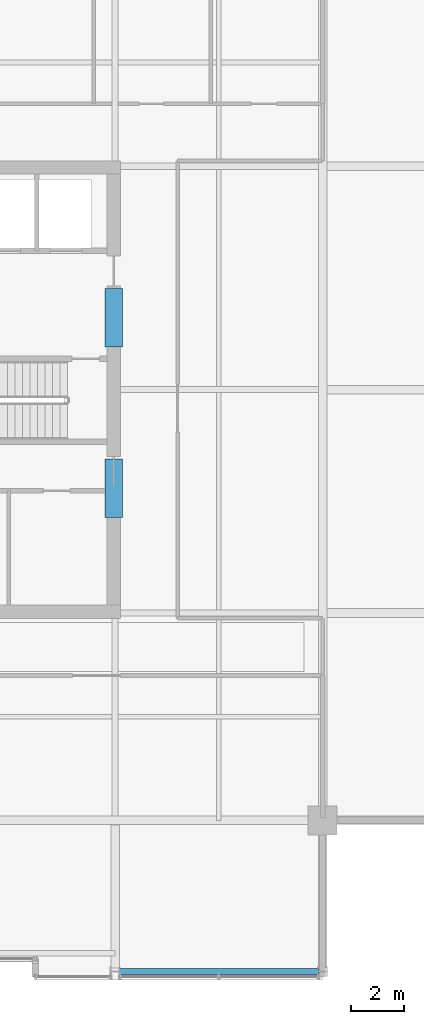
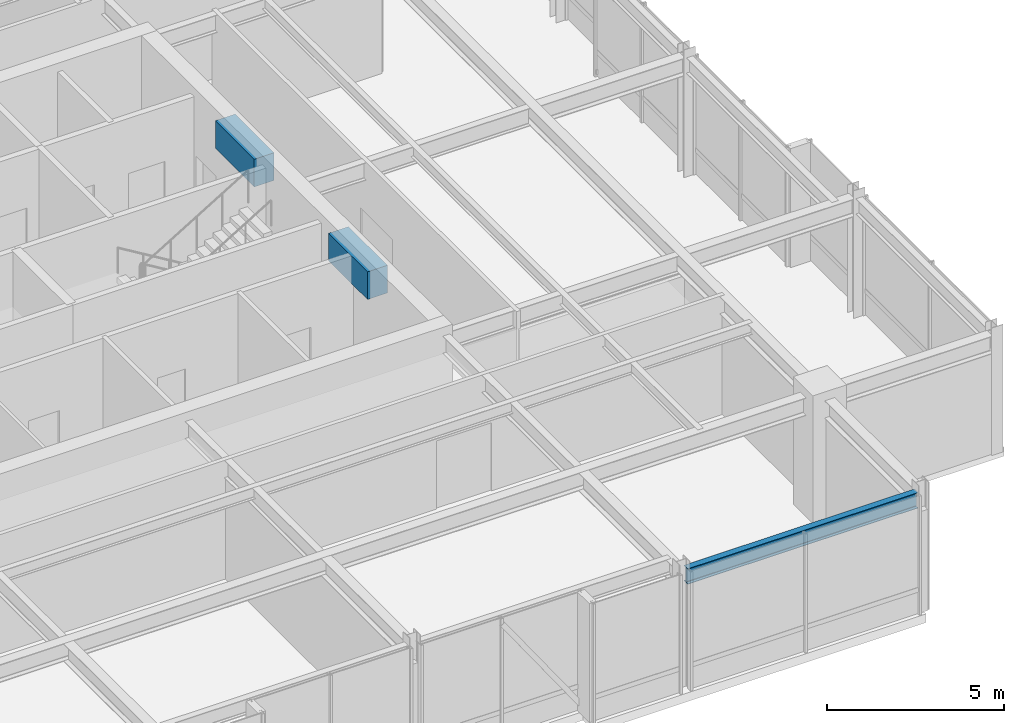
# One storey, part 15 of 34: 3 beams.
"""IFC4 building model written with IfcOpenShell, lengths in metres."""

from ifc_helpers import new_model, si_unit, direction, frame, origin, origin_2d, place, context, subcontext, project, spatial, rectangle, i_section, extrude, material, material_profile, profile_set, type_object, element, save


model = new_model("IFC4")

# Units and contexts
model_context = context("Model", 3, precision=1e-05, world=origin(), true_north=direction((0.0, 1.0)))
body_context = subcontext(model_context, "Body", "Model", "MODEL_VIEW")
ifc_project = project(units=[si_unit("LENGTHUNIT", "METRE"), si_unit("AREAUNIT", "SQUARE_METRE"), si_unit("VOLUMEUNIT", "CUBIC_METRE"), si_unit("PLANEANGLEUNIT", "RADIAN"), si_unit("MASSUNIT", "GRAM", prefix="KILO")], contexts=[model_context])

# Site, building, storey
site_placement = place(None, origin())
site = spatial("IfcSite", under=ifc_project, at=site_placement, CompositionType="ELEMENT")
building_placement = place(site_placement, origin())
building = spatial("IfcBuilding", under=site, at=building_placement, Name="Drelvath Grand Hotel", CompositionType="ELEMENT")
storey_placement = place(building_placement, frame((0.0, 0.0, 294.199951171875)))
storey = spatial("IfcBuildingStorey", under=building, at=storey_placement, Name="L77", CompositionType="ELEMENT", Elevation=294.199951171875)

# Beams
ifc_material_1 = material(Name="Concrete f'c 55 MPa", Category="concrete")
ifc_material_profile_1 = material_profile(ifc_material_1, rectangle(XDim=0.64990234375, YDim=0.949951171875, at=origin_2d()), Name="CB650X950")
ifc_profile_set_1 = profile_set([ifc_material_profile_1], Name="Concrete f'c 55 MPa")
beam_type_1 = type_object("IfcBeamType", Name="Core Coupling Lintel CB650X950", PredefinedType="LINTEL", material=ifc_profile_set_1)
for number, where, z_axis, x_axis, name in (
    (1, (8.35009765625, 22.199951171875, 3.625), (0.0, 1.0, 0.0), (-1.0, 0.0, 0.0), "L77 Core Coupling Lintel ES"),
    (2, (8.35009765625, 28.60009765625, 3.625), (0.0, 1.0, 0.0), (-1.0, 0.0, 0.0), "L77 Core Coupling Lintel EN"),
):
    element("IfcBeam", number, at=place(storey_placement, frame(where, z_axis=z_axis, x_axis=x_axis)), inside=storey, type_object=beam_type_1, Name=name, PredefinedType="LINTEL", context=body_context, shape_type="SweptSolid", body=[
        extrude(rectangle(XDim=0.64990234375, YDim=0.949951171875, at=origin_2d()), origin(), (0.0, 0.0, 1.0), 2.199951171875),
    ])
ifc_material_2 = material(Name="Steel ASTM A992 Gr 50", Category="steel")
ifc_material_profile_2 = material_profile(ifc_material_2, i_section(OverallWidth=0.210205078125, OverallDepth=0.53662109375, WebThickness=0.010986328125, FlangeThickness=0.017333984375, FilletRadius=0.01806640625, at=origin_2d()), Name="W21X68")
ifc_profile_set_2 = profile_set([ifc_material_profile_2], Name="Steel ASTM A992 Gr 50")
beam_type_2 = type_object("IfcBeamType", Name="Perimeter Spandrel Beam W21X68", PredefinedType="SPANDREL", material=ifc_profile_set_2)
beam_placement = place(storey_placement, frame((8.5400390625, 5.1201171875, 3.831787109375), z_axis=(1.0, 0.0, 0.0), x_axis=(0.0, 1.0, 0.0)))
element("IfcBeam", 3, at=beam_placement, inside=storey, type_object=beam_type_2, Name="L77 Spandrel South E", PredefinedType="SPANDREL", context=body_context, shape_type="SweptSolid", body=[
    extrude(i_section(OverallWidth=0.210205078125, OverallDepth=0.53662109375, WebThickness=0.010986328125, FlangeThickness=0.017333984375, FilletRadius=0.01806640625, at=origin_2d()), origin(), (0.0, 0.0, 1.0), 7.52001953125),
])

save(model, "model.ifc")
